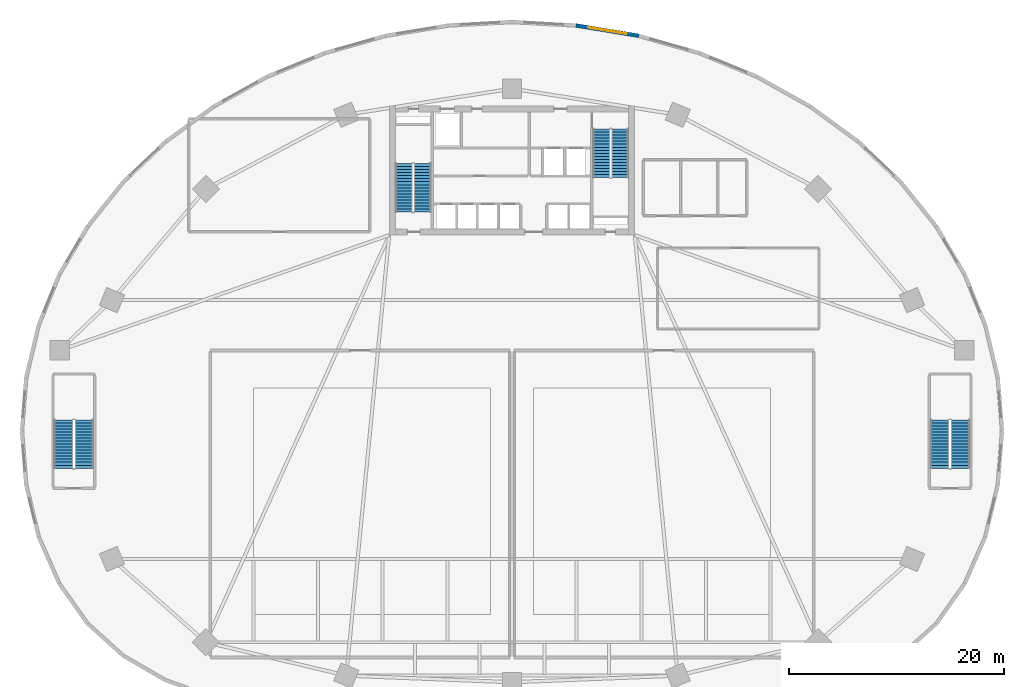
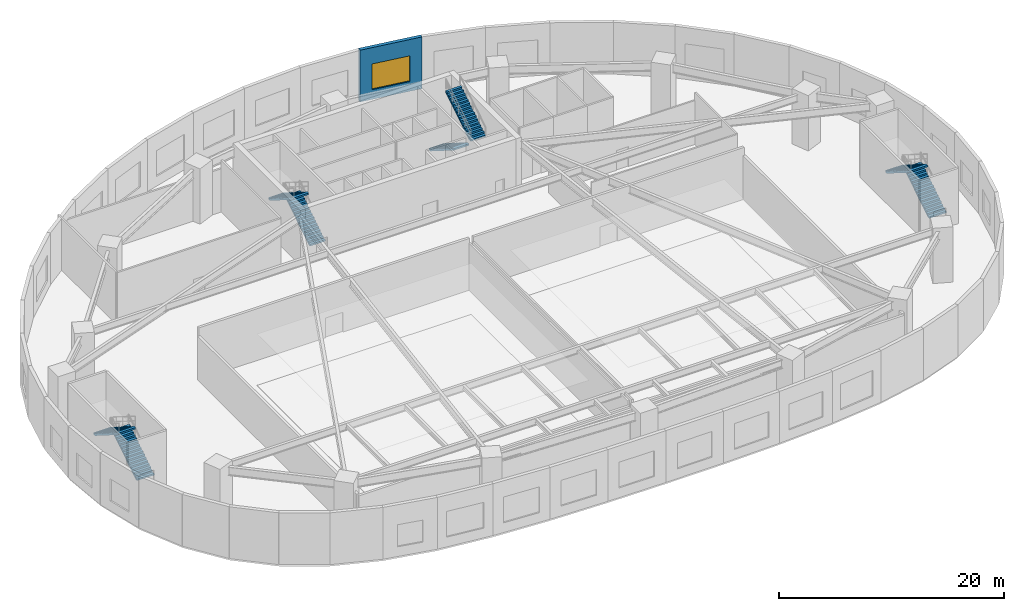
# One storey, part 6 of 10: 8 stair flights, 1 wall, 1 window, 1 opening, 4 elements without a shape of their own.
"""IFC4 building model written with IfcOpenShell, lengths in metres."""

import ifcopenshell
import ifcopenshell.guid

model = None  # the IFC model being written
_history = None  # IfcOwnerHistory: only IFC2X3 demands one
_inside = {}  # id of a spatial element -> (the spatial element, [elements in it])
_under = {}  # id of a project, library or spatial element -> (it, [spatial elements below it])
_declared = {}  # id of a project -> (the project, [libraries it declares])
_typed = {}  # id of a type object -> (the type object, [elements of that type])
_made_of = {}  # id of a material, layer set ... -> (it, [elements and type objects made of it])


def new_model(schema):
    """Start an empty IFC model of exactly this schema.

    Asked for "IFC4X3", IfcOpenShell would pick the latest addendum, in which some entities
    have other attributes; the version numbers below select the first issue.
    IFC2X3 requires an IfcOwnerHistory on every rooted entity: one is made here for all.
    """
    global model, _history
    if schema == "IFC4X3":
        model = ifcopenshell.file(schema_version=(4, 3, 0, 0))
    else:
        model = ifcopenshell.file(schema=schema)
    _inside.clear()
    _under.clear()
    _declared.clear()
    _typed.clear()
    _made_of.clear()
    _history = None
    if model.schema == "IFC2X3":
        org = make("IfcOrganization", Name="unknown")
        user = make(
            "IfcPersonAndOrganization",
            ThePerson=make("IfcPerson", FamilyName="unknown"),
            TheOrganization=org,
        )
        app = make(
            "IfcApplication",
            ApplicationDeveloper=org,
            Version="unknown",
            ApplicationFullName="unknown",
            ApplicationIdentifier="unknown",
        )
        _history = make(
            "IfcOwnerHistory",
            OwningUser=user,
            OwningApplication=app,
            ChangeAction="ADDED",
            CreationDate=0,
        )
    return model


def make(cls, **values):
    """One entity of the class cls with the attributes given. An attribute that is None is left unset."""
    return model.create_entity(
        cls, **{name: value for name, value in values.items() if value is not None}
    )


def rooted(cls, **values):
    """An entity with a GlobalId (a new one), such as an element, a storey or a relation."""
    return make(cls, GlobalId=ifcopenshell.guid.new(), OwnerHistory=_history, **values)


def si_unit(unit_type, name, prefix=None):
    """IfcSIUnit, for example si_unit("LENGTHUNIT", "METRE", prefix="MILLI")."""
    return make("IfcSIUnit", UnitType=unit_type, Prefix=prefix, Name=name)


def assignment(units):
    """IfcUnitAssignment: the units of a project."""
    return None if units is None else make("IfcUnitAssignment", Units=units)


def point(xyz):
    """IfcCartesianPoint."""
    return None if xyz is None else make("IfcCartesianPoint", Coordinates=xyz)


def direction(xyz):
    """IfcDirection."""
    return None if xyz is None else make("IfcDirection", DirectionRatios=xyz)


def frame(location, z_axis=None, x_axis=None):
    """IfcAxis2Placement3D, a coordinate frame: its origin and axes. An axis left out is left unset."""
    return make(
        "IfcAxis2Placement3D",
        Location=point(location),
        Axis=direction(z_axis),
        RefDirection=direction(x_axis),
    )


def frame_2d(location, x_axis=None):
    """IfcAxis2Placement2D, a coordinate frame in the plane: its origin and x axis."""
    return make(
        "IfcAxis2Placement2D", Location=point(location), RefDirection=direction(x_axis)
    )


def origin():
    """The frame at (0, 0, 0) with its axes left unset."""
    return frame((0.0, 0.0, 0.0))


def place(relative_to, where):
    """IfcLocalPlacement: puts the frame where relative to a parent placement (None: the world)."""
    return make(
        "IfcLocalPlacement", PlacementRelTo=relative_to, RelativePlacement=where
    )


def context(
    kind, dimensions, precision=None, world=None, true_north=None, identifier=None
):
    """IfcGeometricRepresentationContext, for example the 3D "Model" context."""
    return make(
        "IfcGeometricRepresentationContext",
        ContextIdentifier=identifier,
        ContextType=kind,
        CoordinateSpaceDimension=dimensions,
        Precision=precision,
        WorldCoordinateSystem=world,
        TrueNorth=true_north,
    )


def subcontext(parent, identifier, kind, view, scale=None):
    """IfcGeometricRepresentationSubContext, for example "Body" below "Model"."""
    return make(
        "IfcGeometricRepresentationSubContext",
        ContextIdentifier=identifier,
        ContextType=kind,
        ParentContext=parent,
        TargetScale=scale,
        TargetView=view,
    )


def project(units=None, contexts=None):
    """IfcProject with its units and contexts."""
    return rooted(
        "IfcProject",
        Name="project",
        RepresentationContexts=contexts,
        UnitsInContext=assignment(units),
    )


def spatial(cls, under=None, at=None, **own):
    """A site, building, storey or space (cls), placed at a placement, below another one or the project."""
    s = rooted(cls, ObjectPlacement=at, **own)
    if under is not None:
        _under.setdefault(under.id(), (under, []))[1].append(s)
    return s


def polyline(points):
    """IfcPolyline through the points."""
    return make("IfcPolyline", Points=[point(p) for p in points])


def profile(cls, at=None, kind="AREA", **sizes):
    """A parametric profile (cls). Its sizes go by their IFC names, for example OverallWidth=200.0."""
    return make(cls, ProfileType=kind, Position=at, **sizes)


def rectangle(**sizes):
    """IfcRectangleProfileDef."""
    return profile("IfcRectangleProfileDef", **sizes)


def outline(outer, holes=None, kind="AREA"):
    """IfcArbitraryClosedProfileDef: a profile drawn as a closed curve; with holes, ...WithVoids."""
    if holes is None:
        return make("IfcArbitraryClosedProfileDef", ProfileType=kind, OuterCurve=outer)
    return make(
        "IfcArbitraryProfileDefWithVoids",
        ProfileType=kind,
        OuterCurve=outer,
        InnerCurves=holes,
    )


def extrude(swept, where, along, depth):
    """IfcExtrudedAreaSolid: the profile swept, set in the frame where, extruded along a direction by depth."""
    return make(
        "IfcExtrudedAreaSolid",
        SweptArea=swept,
        Position=where,
        ExtrudedDirection=direction(along),
        Depth=depth,
    )


def shape(context_of_items, identifier, shape_type, items):
    """IfcShapeRepresentation: the items that make up one representation, for example the "Body"."""
    return make(
        "IfcShapeRepresentation",
        ContextOfItems=context_of_items,
        RepresentationIdentifier=identifier,
        RepresentationType=shape_type,
        Items=items,
    )


def source(mapping_origin, context_of_items, identifier, shape_type, items):
    """IfcRepresentationMap: a shape defined once, which mapped items show again and again."""
    return make(
        "IfcRepresentationMap",
        MappingOrigin=mapping_origin,
        MappedRepresentation=shape(context_of_items, identifier, shape_type, items),
    )


def transform(
    local_origin,
    x_axis=None,
    y_axis=None,
    z_axis=None,
    scale=None,
    scale2=None,
    scale3=None,
    uniform=True,
):
    """IfcCartesianTransformationOperator3D, or its non-uniform kind. x_axis, y_axis, z_axis: its Axis1, 2, 3."""
    if uniform:
        return make(
            "IfcCartesianTransformationOperator3D",
            Axis1=direction(x_axis),
            Axis2=direction(y_axis),
            LocalOrigin=point(local_origin),
            Scale=scale,
            Axis3=direction(z_axis),
        )
    return make(
        "IfcCartesianTransformationOperator3DnonUniform",
        Axis1=direction(x_axis),
        Axis2=direction(y_axis),
        LocalOrigin=point(local_origin),
        Scale=scale,
        Axis3=direction(z_axis),
        Scale2=scale2,
        Scale3=scale3,
    )


def mapped(mapping_source, mapping_target):
    """IfcMappedItem: shows the shape of a source again, moved by a transform."""
    return make(
        "IfcMappedItem", MappingSource=mapping_source, MappingTarget=mapping_target
    )


def material(Name=None, Category=None):
    """IfcMaterial."""
    return make("IfcMaterial", Name=Name, Category=Category)


def layer(
    of_material, thickness, ventilated=None, Name=None, Category=None, Priority=None
):
    """IfcMaterialLayer: one layer of a wall or slab, of a material (None: an air gap)."""
    return make(
        "IfcMaterialLayer",
        Material=of_material,
        LayerThickness=thickness,
        IsVentilated=ventilated,
        Name=Name,
        Category=Category,
        Priority=Priority,
    )


def layer_set(layers, Name=None):
    """IfcMaterialLayerSet."""
    return make("IfcMaterialLayerSet", MaterialLayers=layers, LayerSetName=Name)


def made_of(thing, what):
    """Note that an element or type object is made of a material, layer set ...; save() writes the relation."""
    if what is not None:
        _made_of.setdefault(what.id(), (what, []))[1].append(thing)
    return thing


def type_object(cls, material=None, **own):
    """A type object (cls), such as IfcWallType, which elements share."""
    return made_of(rooted(cls, **own), material)


def type_shapes(of_type, sources):
    """Give a type object the sources (RepresentationMaps) that its elements show as mapped items."""
    of_type.RepresentationMaps = sources


def element(
    cls,
    number,
    at=None,
    inside=None,
    cuts=None,
    type_object=None,
    material=None,
    context=None,
    identifier="Body",
    shape_type=None,
    held_by="IfcProductDefinitionShape",
    body=None,
    shapes=None,
    **own,
):
    """One element of the class cls, such as IfcWall. Its Tag is "e" and its number.

    at: its placement. inside: the storey or other place that contains it. cuts: it is an
    opening in that element (IfcRelVoidsElement). A single representation is given by context,
    identifier, shape_type and body (its items); several are given by shapes. held_by: the class
    of the entity that holds the representations. save() writes the other relations.
    """
    e = rooted(cls, Tag="e%d" % number, ObjectPlacement=at, **own)
    if body is not None:
        shapes = [shape(context, identifier, shape_type, body)]
    if shapes is not None:
        e.Representation = make(held_by, Representations=shapes)
    if inside is not None:
        _inside.setdefault(inside.id(), (inside, []))[1].append(e)
    if cuts is not None:
        rooted(
            "IfcRelVoidsElement", RelatingBuildingElement=cuts, RelatedOpeningElement=e
        )
    if type_object is not None:
        _typed.setdefault(type_object.id(), (type_object, []))[1].append(e)
    return made_of(e, material)


def fill(opening, filler):
    """IfcRelFillsElement: the door or window that sits in an opening."""
    return rooted(
        "IfcRelFillsElement",
        RelatingOpeningElement=opening,
        RelatedBuildingElement=filler,
    )


def aggregate(whole, parts):
    """IfcRelAggregates: a whole, such as a stair, and the parts it consists of."""
    return rooted("IfcRelAggregates", RelatingObject=whole, RelatedObjects=parts)


def save(model, path):
    """Write the relations noted so far, then the file.

    IfcRelAggregates (storeys below a building ...), IfcRelContainedInSpatialStructure (elements
    in a storey), IfcRelDefinesByType, IfcRelAssociatesMaterial and IfcRelDeclares: one each for
    every whole, place, type object, material and project.
    """
    for whole, parts in _under.values():
        aggregate(whole, parts)
    for where, things in _inside.values():
        rooted(
            "IfcRelContainedInSpatialStructure",
            RelatedElements=things,
            RelatingStructure=where,
        )
    for kind, things in _typed.values():
        rooted("IfcRelDefinesByType", RelatedObjects=things, RelatingType=kind)
    for what, things in _made_of.values():
        rooted("IfcRelAssociatesMaterial", RelatedObjects=things, RelatingMaterial=what)
    for by, libraries in _declared.values():
        rooted("IfcRelDeclares", RelatingContext=by, RelatedDefinitions=libraries)
    model.write(path)


model = new_model("IFC4")

# Units and contexts
model_context = context("Model", 3, precision=1e-05, world=origin(), true_north=direction((0.0, 1.0)))
body_context = subcontext(model_context, "Body", "Model", "MODEL_VIEW")
ifc_project = project(units=[si_unit("LENGTHUNIT", "METRE"), si_unit("AREAUNIT", "SQUARE_METRE"), si_unit("VOLUMEUNIT", "CUBIC_METRE"), si_unit("PLANEANGLEUNIT", "RADIAN"), si_unit("MASSUNIT", "GRAM", prefix="KILO")], contexts=[model_context])

# Site, building, storey
site_placement = place(None, origin())
site = spatial("IfcSite", under=ifc_project, at=site_placement, CompositionType="ELEMENT")
building_placement = place(site_placement, origin())
building = spatial("IfcBuilding", under=site, at=building_placement, Name="Breltana Convention Tower", CompositionType="ELEMENT")
storey_placement = place(building_placement, frame((0.0, 0.0, 18.0)))
storey = spatial("IfcBuildingStorey", under=building, at=storey_placement, Name="L03", CompositionType="ELEMENT", Elevation=18.0)

# Wall, opening, window
ifc_material_1 = material(Name="Limestone Buff Insulated Wall", Category="masonry")
ifc_layer = layer(ifc_material_1, 0.35009765625, Name="Limestone Buff Insulated Wall")
ifc_layer_set = layer_set([ifc_layer], Name="Limestone Buff Insulated Wall")
wall_type = type_object("IfcWallType", Name="WL-EXT-POD-350", PredefinedType="SOLIDWALL", material=ifc_layer_set)
shared_shape_1 = source(origin(), body_context, "Body", "SweptSolid", [
    extrude(rectangle(XDim=5.91748046875, YDim=0.35009765625, at=frame_2d((2.958740234375, 0.0))), origin(), (0.0, 0.0, 1.0), 5.6201171875),
])
wall_placement = place(storey_placement, frame((59.7763671875, 78.705078125, 0.0), z_axis=(0.0, 0.0, 1.0), x_axis=(-0.986480762285, 0.163877105303, 0.0)))
wall = element("IfcWall", 1, at=wall_placement, inside=storey, type_object=wall_type, Name="L03 limestone facade wall 11", PredefinedType="SOLIDWALL", context=body_context, shape_type="MappedRepresentation", body=[
    mapped(shared_shape_1, transform((0.0, 0.0, 0.0), scale=1.0)),
])
opening_placement = place(wall_placement, frame((1.15869140625, 0.0, 1.050048828125)))
opening = element("IfcOpeningElement", 2, at=opening_placement, cuts=wall, Name="Opening W-01", PredefinedType="OPENING", context=body_context, shape_type="SweptSolid", body=[
    extrude(rectangle(XDim=3.60009765625, YDim=2.800048828125, at=frame_2d((1.800048828125, 1.39990234375))), frame((0.0, 0.18505859375, 0.0), z_axis=(0.0, -1.0, 0.0), x_axis=(1.0, 0.0, 0.0)), (0.0, 0.0, 1.0), 0.3701171875),
])
ifc_material_2 = material(Name="Glass Low-E Insulated Window", Category="glass")
window_type = type_object("IfcWindowType", Name="WN-POD-3600X2800", PartitioningType="TRIPLE_PANEL_VERTICAL", PredefinedType="WINDOW", material=ifc_material_2)
shared_shape_2 = source(origin(), body_context, "Body", "SweptSolid", [
    extrude(rectangle(XDim=3.60009765625, YDim=2.800048828125, at=frame_2d((1.800048828125, 1.39990234375))), frame((0.0, 0.030029296875, 0.0), z_axis=(0.0, -1.0, 0.0), x_axis=(1.0, 0.0, 0.0)), (0.0, 0.0, 1.0), 0.06005859375),
])
type_shapes(window_type, [shared_shape_2])
window_placement = place(opening_placement, origin())
window = element("IfcWindow", 3, at=window_placement, inside=storey, type_object=window_type, Name="L03 tripartite window 11.1", OverallHeight=2.800048828125, OverallWidth=3.60009765625, PartitioningType="TRIPLE_PANEL_VERTICAL", PredefinedType="WINDOW", context=body_context, shape_type="MappedRepresentation", body=[
    mapped(shared_shape_2, transform((0.0, 0.0, 0.0), scale=1.0)),
])
fill(opening, window)

# Stair, stair flights
ifc_material_3 = material(Name="Concrete C40/50", Category="concrete")
stair_type_1 = type_object("IfcStairType", Name="ST-DOG-1560-R176", PredefinedType="HALF_TURN_STAIR", material=ifc_material_3)
stair_1_placement = place(storey_placement, origin())
stair_1 = element("IfcStair", 4, at=stair_1_placement, inside=storey, type_object=stair_type_1, Name="L03 Protected Core Exit Stair ST-1", PredefinedType="HALF_TURN_STAIR")
stair_flight_type_1 = type_object("IfcStairFlightType", Name="STF-DOG-1560-N17-R176", PredefinedType="STRAIGHT", material=ifc_material_3)
stair_flight_1_placement = place(storey_placement, frame((39.68994140625, 62.360107421875, 0.0), z_axis=(0.0, 0.0, 1.0), x_axis=(0.0, 1.0, 0.0)))
stair_flight_1 = element("IfcStairFlight", 5, at=stair_flight_1_placement, type_object=stair_flight_type_1, Name="ST-1 flight 1", NumberOfRisers=17, NumberOfTreads=16, PredefinedType="STRAIGHT", RiserHeight=0.176470588, TreadLength=0.28, context=body_context, shape_type="SweptSolid", body=[
    extrude(outline(polyline([(0.0, 0.0), (0.0, 0.176513671875), (0.280029296875, 0.176513671875), (0.280029296875, 0.35302734375), (0.56005859375, 0.35302734375), (0.56005859375, 0.529296875), (0.840087890625, 0.529296875), (0.840087890625, 0.705810546875), (1.1201171875, 0.705810546875), (1.1201171875, 0.88232421875), (1.39990234375, 0.88232421875), (1.39990234375, 1.058837890625), (1.679931640625, 1.058837890625), (1.679931640625, 1.2353515625), (1.9599609375, 1.2353515625), (1.9599609375, 1.411865234375), (2.239990234375, 1.411865234375), (2.239990234375, 1.588134765625), (2.52001953125, 1.588134765625), (2.52001953125, 1.7646484375), (2.800048828125, 1.7646484375), (2.800048828125, 1.941162109375), (3.080078125, 1.941162109375), (3.080078125, 2.11767578125), (3.360107421875, 2.11767578125), (3.360107421875, 2.294189453125), (3.639892578125, 2.294189453125), (3.639892578125, 2.470703125), (3.919921875, 2.470703125), (3.919921875, 2.64697265625), (4.199951171875, 2.64697265625), (4.199951171875, 2.823486328125), (4.47998046875, 2.823486328125), (4.47998046875, 3.0), (4.47998046875, 2.646240234375), (0.28125, 0.0), (0.0, 0.0)])), frame((0.0, 0.780029296875, 0.0), z_axis=(0.0, -1.0, 0.0), x_axis=(1.0, 0.0, 0.0)), (0.0, 0.0, 1.0), 1.56005859375),
])
stair_flight_2_placement = place(storey_placement, frame((37.97998046875, 66.840087890625, 3.0), z_axis=(0.0, 0.0, 1.0), x_axis=(0.0, -1.0, 0.0)))
stair_flight_2 = element("IfcStairFlight", 6, at=stair_flight_2_placement, type_object=stair_flight_type_1, Name="ST-1 flight 2", NumberOfRisers=17, NumberOfTreads=16, PredefinedType="STRAIGHT", RiserHeight=0.176470588, TreadLength=0.28, context=body_context, shape_type="SweptSolid", body=[
    extrude(outline(polyline([(0.0, 0.0), (0.0, 0.176513671875), (0.280029296875, 0.176513671875), (0.280029296875, 0.35302734375), (0.56005859375, 0.35302734375), (0.56005859375, 0.529296875), (0.840087890625, 0.529296875), (0.840087890625, 0.705810546875), (1.1201171875, 0.705810546875), (1.1201171875, 0.88232421875), (1.39990234375, 0.88232421875), (1.39990234375, 1.058837890625), (1.679931640625, 1.058837890625), (1.679931640625, 1.2353515625), (1.9599609375, 1.2353515625), (1.9599609375, 1.411865234375), (2.239990234375, 1.411865234375), (2.239990234375, 1.588134765625), (2.52001953125, 1.588134765625), (2.52001953125, 1.7646484375), (2.800048828125, 1.7646484375), (2.800048828125, 1.941162109375), (3.080078125, 1.941162109375), (3.080078125, 2.11767578125), (3.360107421875, 2.11767578125), (3.360107421875, 2.294189453125), (3.639892578125, 2.294189453125), (3.639892578125, 2.470703125), (3.919921875, 2.470703125), (3.919921875, 2.64697265625), (4.199951171875, 2.64697265625), (4.199951171875, 2.823486328125), (4.47998046875, 2.823486328125), (4.47998046875, 3.0), (4.47998046875, 2.646240234375), (0.28125, 0.0), (0.0, 0.0)])), frame((0.0, 0.780029296875, 0.0), z_axis=(0.0, -1.0, 0.0), x_axis=(1.0, 0.0, 0.0)), (0.0, 0.0, 1.0), 1.56005859375),
])
aggregate(stair_1, [stair_flight_1, stair_flight_2])

stair_2_placement = place(storey_placement, origin())
stair_2 = element("IfcStair", 7, at=stair_2_placement, inside=storey, type_object=stair_type_1, Name="L03 Protected Core Exit Stair ST-2", PredefinedType="HALF_TURN_STAIR")
stair_flight_3_placement = place(storey_placement, frame((56.31005859375, 70.0400390625, 0.0), z_axis=(0.0, 0.0, 1.0), x_axis=(0.0, -1.0, 0.0)))
stair_flight_3 = element("IfcStairFlight", 8, at=stair_flight_3_placement, type_object=stair_flight_type_1, Name="ST-2 flight 1", NumberOfRisers=17, NumberOfTreads=16, PredefinedType="STRAIGHT", RiserHeight=0.176470588, TreadLength=0.28, context=body_context, shape_type="SweptSolid", body=[
    extrude(outline(polyline([(0.0, 0.0), (0.0, 0.176513671875), (0.280029296875, 0.176513671875), (0.280029296875, 0.35302734375), (0.56005859375, 0.35302734375), (0.56005859375, 0.529296875), (0.840087890625, 0.529296875), (0.840087890625, 0.705810546875), (1.1201171875, 0.705810546875), (1.1201171875, 0.88232421875), (1.39990234375, 0.88232421875), (1.39990234375, 1.058837890625), (1.679931640625, 1.058837890625), (1.679931640625, 1.2353515625), (1.9599609375, 1.2353515625), (1.9599609375, 1.411865234375), (2.239990234375, 1.411865234375), (2.239990234375, 1.588134765625), (2.52001953125, 1.588134765625), (2.52001953125, 1.7646484375), (2.800048828125, 1.7646484375), (2.800048828125, 1.941162109375), (3.080078125, 1.941162109375), (3.080078125, 2.11767578125), (3.360107421875, 2.11767578125), (3.360107421875, 2.294189453125), (3.639892578125, 2.294189453125), (3.639892578125, 2.470703125), (3.919921875, 2.470703125), (3.919921875, 2.64697265625), (4.199951171875, 2.64697265625), (4.199951171875, 2.823486328125), (4.47998046875, 2.823486328125), (4.47998046875, 3.0), (4.47998046875, 2.646240234375), (0.28125, 0.0), (0.0, 0.0)])), frame((0.0, 0.780029296875, 0.0), z_axis=(0.0, -1.0, 0.0), x_axis=(1.0, 0.0, 0.0)), (0.0, 0.0, 1.0), 1.56005859375),
])
stair_flight_4_placement = place(storey_placement, frame((58.02001953125, 65.56005859375, 3.0), z_axis=(0.0, 0.0, 1.0), x_axis=(0.0, 1.0, 0.0)))
stair_flight_4 = element("IfcStairFlight", 9, at=stair_flight_4_placement, type_object=stair_flight_type_1, Name="ST-2 flight 2", NumberOfRisers=17, NumberOfTreads=16, PredefinedType="STRAIGHT", RiserHeight=0.176470588, TreadLength=0.28, context=body_context, shape_type="SweptSolid", body=[
    extrude(outline(polyline([(0.0, 0.0), (0.0, 0.176513671875), (0.280029296875, 0.176513671875), (0.280029296875, 0.35302734375), (0.56005859375, 0.35302734375), (0.56005859375, 0.529296875), (0.840087890625, 0.529296875), (0.840087890625, 0.705810546875), (1.1201171875, 0.705810546875), (1.1201171875, 0.88232421875), (1.39990234375, 0.88232421875), (1.39990234375, 1.058837890625), (1.679931640625, 1.058837890625), (1.679931640625, 1.2353515625), (1.9599609375, 1.2353515625), (1.9599609375, 1.411865234375), (2.239990234375, 1.411865234375), (2.239990234375, 1.588134765625), (2.52001953125, 1.588134765625), (2.52001953125, 1.7646484375), (2.800048828125, 1.7646484375), (2.800048828125, 1.941162109375), (3.080078125, 1.941162109375), (3.080078125, 2.11767578125), (3.360107421875, 2.11767578125), (3.360107421875, 2.294189453125), (3.639892578125, 2.294189453125), (3.639892578125, 2.470703125), (3.919921875, 2.470703125), (3.919921875, 2.64697265625), (4.199951171875, 2.64697265625), (4.199951171875, 2.823486328125), (4.47998046875, 2.823486328125), (4.47998046875, 3.0), (4.47998046875, 2.646240234375), (0.28125, 0.0), (0.0, 0.0)])), frame((0.0, 0.780029296875, 0.0), z_axis=(0.0, -1.0, 0.0), x_axis=(1.0, 0.0, 0.0)), (0.0, 0.0, 1.0), 1.56005859375),
])
aggregate(stair_2, [stair_flight_3, stair_flight_4])

stair_type_2 = type_object("IfcStairType", Name="ST-DOG-1760-R176", PredefinedType="HALF_TURN_STAIR", material=ifc_material_3)
stair_3_placement = place(storey_placement, origin())
stair_3 = element("IfcStair", 10, at=stair_3_placement, inside=storey, type_object=stair_type_2, Name="L03 Protected Podium Exit Stair ST-3", PredefinedType="HALF_TURN_STAIR")
stair_flight_type_2 = type_object("IfcStairFlightType", Name="STF-DOG-1760-N17-R176", PredefinedType="STRAIGHT", material=ifc_material_3)
stair_flight_5_placement = place(storey_placement, frame((8.2900390625, 38.56005859375, 0.0), z_axis=(0.0, 0.0, 1.0), x_axis=(0.0, 1.0, 0.0)))
stair_flight_5 = element("IfcStairFlight", 11, at=stair_flight_5_placement, type_object=stair_flight_type_2, Name="ST-3 flight 1", NumberOfRisers=17, NumberOfTreads=16, PredefinedType="STRAIGHT", RiserHeight=0.176470588, TreadLength=0.28, context=body_context, shape_type="SweptSolid", body=[
    extrude(outline(polyline([(0.0, 0.0), (0.0, 0.176513671875), (0.280029296875, 0.176513671875), (0.280029296875, 0.35302734375), (0.56005859375, 0.35302734375), (0.56005859375, 0.529296875), (0.840087890625, 0.529296875), (0.840087890625, 0.705810546875), (1.1201171875, 0.705810546875), (1.1201171875, 0.88232421875), (1.39990234375, 0.88232421875), (1.39990234375, 1.058837890625), (1.679931640625, 1.058837890625), (1.679931640625, 1.2353515625), (1.9599609375, 1.2353515625), (1.9599609375, 1.411865234375), (2.239990234375, 1.411865234375), (2.239990234375, 1.588134765625), (2.52001953125, 1.588134765625), (2.52001953125, 1.7646484375), (2.800048828125, 1.7646484375), (2.800048828125, 1.941162109375), (3.080078125, 1.941162109375), (3.080078125, 2.11767578125), (3.360107421875, 2.11767578125), (3.360107421875, 2.294189453125), (3.639892578125, 2.294189453125), (3.639892578125, 2.470703125), (3.919921875, 2.470703125), (3.919921875, 2.64697265625), (4.199951171875, 2.64697265625), (4.199951171875, 2.823486328125), (4.47998046875, 2.823486328125), (4.47998046875, 3.0), (4.47998046875, 2.646240234375), (0.28125, 0.0), (0.0, 0.0)])), frame((0.0, 0.8798828125, 0.0), z_axis=(0.0, -1.0, 0.0), x_axis=(1.0, 0.0, 0.0)), (0.0, 0.0, 1.0), 1.760009765625),
])
stair_flight_6_placement = place(storey_placement, frame((6.3798828125, 43.0400390625, 3.0), z_axis=(0.0, 0.0, 1.0), x_axis=(0.0, -1.0, 0.0)))
stair_flight_6 = element("IfcStairFlight", 12, at=stair_flight_6_placement, type_object=stair_flight_type_2, Name="ST-3 flight 2", NumberOfRisers=17, NumberOfTreads=16, PredefinedType="STRAIGHT", RiserHeight=0.176470588, TreadLength=0.28, context=body_context, shape_type="SweptSolid", body=[
    extrude(outline(polyline([(0.0, 0.0), (0.0, 0.176513671875), (0.280029296875, 0.176513671875), (0.280029296875, 0.35302734375), (0.56005859375, 0.35302734375), (0.56005859375, 0.529296875), (0.840087890625, 0.529296875), (0.840087890625, 0.705810546875), (1.1201171875, 0.705810546875), (1.1201171875, 0.88232421875), (1.39990234375, 0.88232421875), (1.39990234375, 1.058837890625), (1.679931640625, 1.058837890625), (1.679931640625, 1.2353515625), (1.9599609375, 1.2353515625), (1.9599609375, 1.411865234375), (2.239990234375, 1.411865234375), (2.239990234375, 1.588134765625), (2.52001953125, 1.588134765625), (2.52001953125, 1.7646484375), (2.800048828125, 1.7646484375), (2.800048828125, 1.941162109375), (3.080078125, 1.941162109375), (3.080078125, 2.11767578125), (3.360107421875, 2.11767578125), (3.360107421875, 2.294189453125), (3.639892578125, 2.294189453125), (3.639892578125, 2.470703125), (3.919921875, 2.470703125), (3.919921875, 2.64697265625), (4.199951171875, 2.64697265625), (4.199951171875, 2.823486328125), (4.47998046875, 2.823486328125), (4.47998046875, 3.0), (4.47998046875, 2.646240234375), (0.28125, 0.0), (0.0, 0.0)])), frame((0.0, 0.8798828125, 0.0), z_axis=(0.0, -1.0, 0.0), x_axis=(1.0, 0.0, 0.0)), (0.0, 0.0, 1.0), 1.760009765625),
])
aggregate(stair_3, [stair_flight_5, stair_flight_6])

stair_4_placement = place(storey_placement, origin())
stair_4 = element("IfcStair", 13, at=stair_4_placement, inside=storey, type_object=stair_type_2, Name="L03 Protected Podium Exit Stair ST-4", PredefinedType="HALF_TURN_STAIR")
stair_flight_7_placement = place(storey_placement, frame((89.6201171875, 38.56005859375, 0.0), z_axis=(0.0, 0.0, 1.0), x_axis=(0.0, 1.0, 0.0)))
stair_flight_7 = element("IfcStairFlight", 14, at=stair_flight_7_placement, type_object=stair_flight_type_2, Name="ST-4 flight 1", NumberOfRisers=17, NumberOfTreads=16, PredefinedType="STRAIGHT", RiserHeight=0.176470588, TreadLength=0.28, context=body_context, shape_type="SweptSolid", body=[
    extrude(outline(polyline([(0.0, 0.0), (0.0, 0.176513671875), (0.280029296875, 0.176513671875), (0.280029296875, 0.35302734375), (0.56005859375, 0.35302734375), (0.56005859375, 0.529296875), (0.840087890625, 0.529296875), (0.840087890625, 0.705810546875), (1.1201171875, 0.705810546875), (1.1201171875, 0.88232421875), (1.39990234375, 0.88232421875), (1.39990234375, 1.058837890625), (1.679931640625, 1.058837890625), (1.679931640625, 1.2353515625), (1.9599609375, 1.2353515625), (1.9599609375, 1.411865234375), (2.239990234375, 1.411865234375), (2.239990234375, 1.588134765625), (2.52001953125, 1.588134765625), (2.52001953125, 1.7646484375), (2.800048828125, 1.7646484375), (2.800048828125, 1.941162109375), (3.080078125, 1.941162109375), (3.080078125, 2.11767578125), (3.360107421875, 2.11767578125), (3.360107421875, 2.294189453125), (3.639892578125, 2.294189453125), (3.639892578125, 2.470703125), (3.919921875, 2.470703125), (3.919921875, 2.64697265625), (4.199951171875, 2.64697265625), (4.199951171875, 2.823486328125), (4.47998046875, 2.823486328125), (4.47998046875, 3.0), (4.47998046875, 2.646240234375), (0.28125, 0.0), (0.0, 0.0)])), frame((0.0, 0.8798828125, 0.0), z_axis=(0.0, -1.0, 0.0), x_axis=(1.0, 0.0, 0.0)), (0.0, 0.0, 1.0), 1.760009765625),
])
stair_flight_8_placement = place(storey_placement, frame((87.7099609375, 43.0400390625, 3.0), z_axis=(0.0, 0.0, 1.0), x_axis=(0.0, -1.0, 0.0)))
stair_flight_8 = element("IfcStairFlight", 15, at=stair_flight_8_placement, type_object=stair_flight_type_2, Name="ST-4 flight 2", NumberOfRisers=17, NumberOfTreads=16, PredefinedType="STRAIGHT", RiserHeight=0.176470588, TreadLength=0.28, context=body_context, shape_type="SweptSolid", body=[
    extrude(outline(polyline([(0.0, 0.0), (0.0, 0.176513671875), (0.280029296875, 0.176513671875), (0.280029296875, 0.35302734375), (0.56005859375, 0.35302734375), (0.56005859375, 0.529296875), (0.840087890625, 0.529296875), (0.840087890625, 0.705810546875), (1.1201171875, 0.705810546875), (1.1201171875, 0.88232421875), (1.39990234375, 0.88232421875), (1.39990234375, 1.058837890625), (1.679931640625, 1.058837890625), (1.679931640625, 1.2353515625), (1.9599609375, 1.2353515625), (1.9599609375, 1.411865234375), (2.239990234375, 1.411865234375), (2.239990234375, 1.588134765625), (2.52001953125, 1.588134765625), (2.52001953125, 1.7646484375), (2.800048828125, 1.7646484375), (2.800048828125, 1.941162109375), (3.080078125, 1.941162109375), (3.080078125, 2.11767578125), (3.360107421875, 2.11767578125), (3.360107421875, 2.294189453125), (3.639892578125, 2.294189453125), (3.639892578125, 2.470703125), (3.919921875, 2.470703125), (3.919921875, 2.64697265625), (4.199951171875, 2.64697265625), (4.199951171875, 2.823486328125), (4.47998046875, 2.823486328125), (4.47998046875, 3.0), (4.47998046875, 2.646240234375), (0.28125, 0.0), (0.0, 0.0)])), frame((0.0, 0.8798828125, 0.0), z_axis=(0.0, -1.0, 0.0), x_axis=(1.0, 0.0, 0.0)), (0.0, 0.0, 1.0), 1.760009765625),
])
aggregate(stair_4, [stair_flight_7, stair_flight_8])

save(model, "model.ifc")
